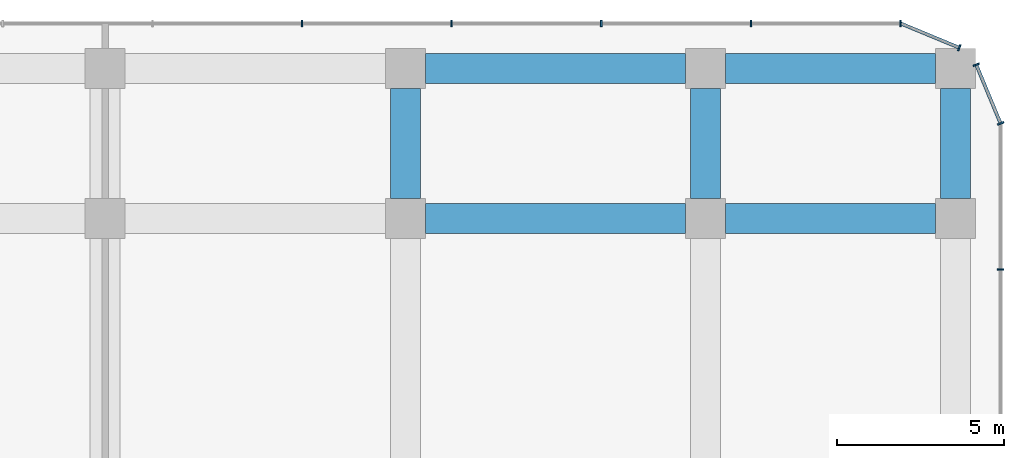
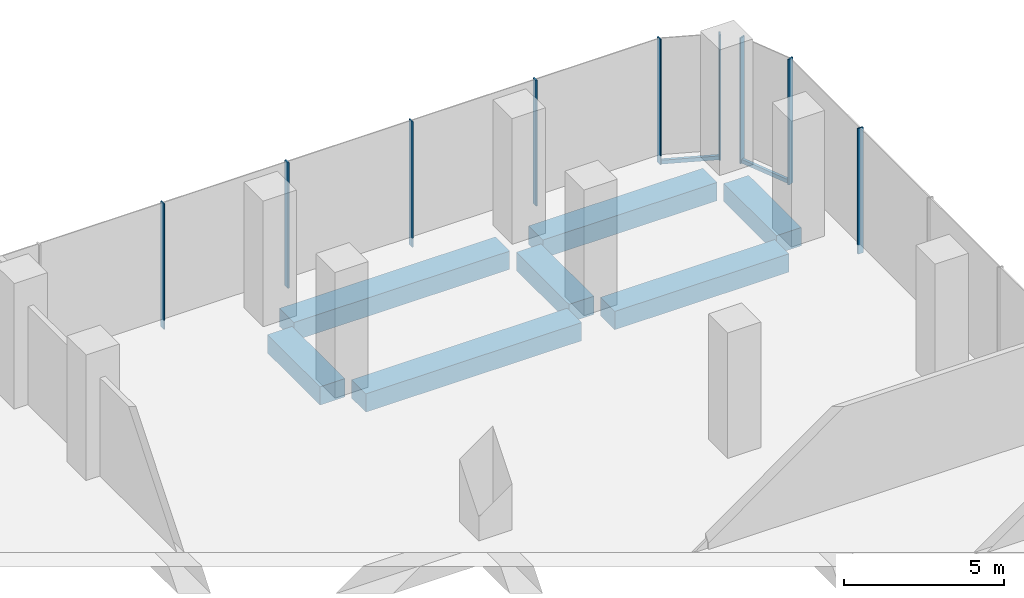
# One storey, part 25 of 42: 11 members, 7 beams, 4 elements without a shape of their own.
"""IFC4 building model written with IfcOpenShell, lengths in metres."""

from ifc_helpers import new_model, si_unit, direction, frame, origin, origin_2d, place, context, subcontext, project, spatial, rectangle, extrude, material, layer, layer_set, material_profile, profile_set, type_object, element, aggregate, save


model = new_model("IFC4")

# Units and contexts
model_context = context("Model", 3, precision=1e-05, world=origin(), true_north=direction((0.0, 1.0)))
body_context = subcontext(model_context, "Body", "Model", "MODEL_VIEW")
ifc_project = project(units=[si_unit("LENGTHUNIT", "METRE"), si_unit("AREAUNIT", "SQUARE_METRE"), si_unit("VOLUMEUNIT", "CUBIC_METRE"), si_unit("PLANEANGLEUNIT", "RADIAN"), si_unit("MASSUNIT", "GRAM", prefix="KILO")], contexts=[model_context])

# Site, building, storey
site_placement = place(None, origin())
site = spatial("IfcSite", under=ifc_project, at=site_placement, CompositionType="ELEMENT")
building_placement = place(site_placement, origin())
building = spatial("IfcBuilding", under=site, at=building_placement, Name="Plateau Cross Towers", CompositionType="ELEMENT")
storey_placement = place(building_placement, frame((0.0, 0.0, 8.0)))
storey = spatial("IfcBuildingStorey", under=building, at=storey_placement, Name="L01", CompositionType="ELEMENT", Elevation=8.0)

# Curtain wall, member
ifc_material_1 = material(Name="Dark low-iron laminated glass", Category="glass")
ifc_layer = layer(ifc_material_1, 0.300048828125)
ifc_layer_set = layer_set([ifc_layer], Name="Dark low-iron laminated glass")
curtain_wall_type = type_object("IfcCurtainWallType", Name="Curtain wall structural silicone CW-C", PredefinedType="NOTDEFINED", material=ifc_layer_set)
curtain_wall_1_placement = place(storey_placement, origin())
curtain_wall_1 = element("IfcCurtainWall", 1, at=curtain_wall_1_placement, inside=storey, type_object=curtain_wall_type, Name="ENV/P/L01/P1078_-88", PredefinedType="NOTDEFINED")
ifc_material_2 = material(Name="Black anodised aluminium", Category="aluminium")
ifc_material_profile_1 = material_profile(ifc_material_2, rectangle(XDim=0.050048828125, YDim=0.199951171875, at=origin_2d()), Name="MULLION 50x200")
ifc_profile_set_1 = profile_set([ifc_material_profile_1], Name="Black anodised aluminium")
member_type_1 = type_object("IfcMemberType", Name="Mullion 50x200 structural silicone", PredefinedType="MULLION", material=ifc_profile_set_1)
member_1_placement = place(storey_placement, frame((107.85009765625, 52.469970703125, -0.35009765625), z_axis=(0.0, 0.0, 1.0), x_axis=(0.0, 1.0, 0.0)))
member_1 = element("IfcMember", 2, at=member_1_placement, type_object=member_type_1, Name="CW-C mullion 15", PredefinedType="MULLION", context=body_context, shape_type="SweptSolid", body=[
    extrude(rectangle(XDim=0.050048828125, YDim=0.199951171875, at=origin_2d()), origin(), (0.0, 0.0, 1.0), 4.800048828125),
])
aggregate(curtain_wall_1, [member_1])

# Curtain wall, members
curtain_wall_2_placement = place(storey_placement, origin())
curtain_wall_2 = element("IfcCurtainWall", 3, at=curtain_wall_2_placement, inside=storey, type_object=curtain_wall_type, Name="ENV/P/L01/P1078_568", PredefinedType="NOTDEFINED")
member_2_placement = place(storey_placement, frame((107.85009765625, 56.85009765625, -0.35009765625), z_axis=(0.0, 0.0, 1.0), x_axis=(-0.382683612978, 0.923879457699, 0.0)))
member_2 = element("IfcMember", 4, at=member_2_placement, type_object=member_type_1, Name="CW-C mullion 1", PredefinedType="MULLION", context=body_context, shape_type="SweptSolid", body=[
    extrude(rectangle(XDim=0.050048828125, YDim=0.199951171875, at=origin_2d()), origin(), (0.0, 0.0, 1.0), 4.800048828125),
])
member_3_placement = place(storey_placement, frame((107.1201171875, 58.6123046875, -0.35009765625), z_axis=(0.0, 0.0, 1.0), x_axis=(-0.382683612978, 0.923879457699, 0.0)))
member_3 = element("IfcMember", 5, at=member_3_placement, type_object=member_type_1, Name="CW-C mullion 2", PredefinedType="MULLION", context=body_context, shape_type="SweptSolid", body=[
    extrude(rectangle(XDim=0.050048828125, YDim=0.199951171875, at=origin_2d()), origin(), (0.0, 0.0, 1.0), 4.800048828125),
])

# Curtain wall, member
curtain_wall_3_placement = place(storey_placement, origin())
curtain_wall_3 = element("IfcCurtainWall", 6, at=curtain_wall_3_placement, inside=storey, type_object=curtain_wall_type, Name="ENV/P/L01/P1066_591", PredefinedType="NOTDEFINED")
member_4_placement = place(storey_placement, frame((106.6123046875, 59.1201171875, -0.35009765625), z_axis=(0.0, 0.0, 1.0), x_axis=(-0.923879457699, 0.382683612978, 0.0)))
member_4 = element("IfcMember", 7, at=member_4_placement, type_object=member_type_1, Name="CW-C mullion 1", PredefinedType="MULLION", context=body_context, shape_type="SweptSolid", body=[
    extrude(rectangle(XDim=0.050048828125, YDim=0.199951171875, at=origin_2d()), origin(), (0.0, 0.0, 1.0), 4.800048828125),
])

# Curtain wall, members
curtain_wall_4_placement = place(storey_placement, origin())
curtain_wall_4 = element("IfcCurtainWall", 8, at=curtain_wall_4_placement, inside=storey, type_object=curtain_wall_type, Name="ENV/P/L01/P1048_598", PredefinedType="NOTDEFINED")
member_5_placement = place(storey_placement, frame((104.85009765625, 59.85009765625, -0.35009765625), z_axis=(0.0, 0.0, 1.0), x_axis=(-1.0, 0.0, 0.0)))
member_5 = element("IfcMember", 9, at=member_5_placement, type_object=member_type_1, Name="CW-C mullion 1", PredefinedType="MULLION", context=body_context, shape_type="SweptSolid", body=[
    extrude(rectangle(XDim=0.050048828125, YDim=0.199951171875, at=origin_2d()), origin(), (0.0, 0.0, 1.0), 4.800048828125),
])
member_6_placement = place(storey_placement, frame((100.362548828125, 59.85009765625, -0.35009765625), z_axis=(0.0, 0.0, 1.0), x_axis=(-1.0, 0.0, 0.0)))
member_6 = element("IfcMember", 10, at=member_6_placement, type_object=member_type_1, Name="CW-C mullion 2", PredefinedType="MULLION", context=body_context, shape_type="SweptSolid", body=[
    extrude(rectangle(XDim=0.050048828125, YDim=0.199951171875, at=origin_2d()), origin(), (0.0, 0.0, 1.0), 4.800048828125),
])
member_7_placement = place(storey_placement, frame((95.875, 59.85009765625, -0.35009765625), z_axis=(0.0, 0.0, 1.0), x_axis=(-1.0, 0.0, 0.0)))
member_7 = element("IfcMember", 11, at=member_7_placement, type_object=member_type_1, Name="CW-C mullion 3", PredefinedType="MULLION", context=body_context, shape_type="SweptSolid", body=[
    extrude(rectangle(XDim=0.050048828125, YDim=0.199951171875, at=origin_2d()), origin(), (0.0, 0.0, 1.0), 4.800048828125),
])
member_8_placement = place(storey_placement, frame((91.387451171875, 59.85009765625, -0.35009765625), z_axis=(0.0, 0.0, 1.0), x_axis=(-1.0, 0.0, 0.0)))
member_8 = element("IfcMember", 12, at=member_8_placement, type_object=member_type_1, Name="CW-C mullion 4", PredefinedType="MULLION", context=body_context, shape_type="SweptSolid", body=[
    extrude(rectangle(XDim=0.050048828125, YDim=0.199951171875, at=origin_2d()), origin(), (0.0, 0.0, 1.0), 4.800048828125),
])
member_9_placement = place(storey_placement, frame((86.89990234375, 59.85009765625, -0.35009765625), z_axis=(0.0, 0.0, 1.0), x_axis=(-1.0, 0.0, 0.0)))
member_9 = element("IfcMember", 13, at=member_9_placement, type_object=member_type_1, Name="CW-C mullion 5", PredefinedType="MULLION", context=body_context, shape_type="SweptSolid", body=[
    extrude(rectangle(XDim=0.050048828125, YDim=0.199951171875, at=origin_2d()), origin(), (0.0, 0.0, 1.0), 4.800048828125),
])
aggregate(curtain_wall_4, [member_5, member_6, member_7, member_8, member_9])

# Beams
ifc_material_3 = material(Name="Concrete C50/60", Category="concrete")
ifc_material_profile_2 = material_profile(ifc_material_3, rectangle(XDim=0.89990234375, YDim=0.699951171875, at=origin_2d()), Name="RC 900x700")
ifc_profile_set_2 = profile_set([ifc_material_profile_2], Name="Concrete C50/60")
beam_type = type_object("IfcBeamType", Name="Podium band beam RC 900x700", PredefinedType="BEAM", material=ifc_profile_set_2)
beam_1_placement = place(storey_placement, frame((90.60009765625, 54.0, -0.699951171875), z_axis=(1.0, 0.0, 0.0), x_axis=(0.0, 1.0, 0.0)))
element("IfcBeam", 14, at=beam_1_placement, inside=storey, type_object=beam_type, Name="PB78@L01", PredefinedType="BEAM", context=body_context, shape_type="SweptSolid", body=[
    extrude(rectangle(XDim=0.89990234375, YDim=0.699951171875, at=origin_2d()), origin(), (0.0, 0.0, 1.0), 7.7998046875),
])
beam_2_placement = place(storey_placement, frame((99.60009765625, 54.0, -0.699951171875), z_axis=(1.0, 0.0, 0.0), x_axis=(0.0, 1.0, 0.0)))
element("IfcBeam", 15, at=beam_2_placement, inside=storey, type_object=beam_type, Name="PB79@L01", PredefinedType="BEAM", context=body_context, shape_type="SweptSolid", body=[
    extrude(rectangle(XDim=0.89990234375, YDim=0.699951171875, at=origin_2d()), origin(), (0.0, 0.0, 1.0), 6.2998046875),
])
beam_3_placement = place(storey_placement, frame((90.60009765625, 58.5, -0.699951171875), z_axis=(1.0, 0.0, 0.0), x_axis=(0.0, 1.0, 0.0)))
element("IfcBeam", 16, at=beam_3_placement, inside=storey, type_object=beam_type, Name="PB91@L01", PredefinedType="BEAM", context=body_context, shape_type="SweptSolid", body=[
    extrude(rectangle(XDim=0.89990234375, YDim=0.699951171875, at=origin_2d()), origin(), (0.0, 0.0, 1.0), 7.7998046875),
])
beam_4_placement = place(storey_placement, frame((99.60009765625, 58.5, -0.699951171875), z_axis=(1.0, 0.0, 0.0), x_axis=(0.0, 1.0, 0.0)))
element("IfcBeam", 17, at=beam_4_placement, inside=storey, type_object=beam_type, Name="PB92@L01", PredefinedType="BEAM", context=body_context, shape_type="SweptSolid", body=[
    extrude(rectangle(XDim=0.89990234375, YDim=0.699951171875, at=origin_2d()), origin(), (0.0, 0.0, 1.0), 6.2998046875),
])
for number, where, z_axis, x_axis, name in (
    (18, (90.0, 54.60009765625, -0.699951171875), (0.0, 1.0, 0.0), (-1.0, 0.0, 0.0), "PB168@L01"),
    (19, (99.0, 54.60009765625, -0.699951171875), (0.0, 1.0, 0.0), (-1.0, 0.0, 0.0), "PB172@L01"),
    (20, (106.5, 54.60009765625, -0.699951171875), (0.0, 1.0, 0.0), (-1.0, 0.0, 0.0), "PB181@L01"),
):
    element("IfcBeam", number, at=place(storey_placement, frame(where, z_axis=z_axis, x_axis=x_axis)), inside=storey, type_object=beam_type, Name=name, PredefinedType="BEAM", context=body_context, shape_type="SweptSolid", body=[
        extrude(rectangle(XDim=0.89990234375, YDim=0.699951171875, at=origin_2d()), origin(), (0.0, 0.0, 1.0), 3.2998046875),
    ])

# Member
ifc_material_profile_3 = material_profile(ifc_material_2, rectangle(XDim=0.10009765625, YDim=0.14990234375, at=origin_2d()), Name="TRANSOM 100x150")
ifc_profile_set_3 = profile_set([ifc_material_profile_3], Name="Black anodised aluminium")
member_type_2 = type_object("IfcMemberType", Name="Transom 100x150 structural silicone", PredefinedType="USERDEFINED", material=ifc_profile_set_3)
member_10_placement = place(storey_placement, frame((107.85009765625, 56.85009765625, -0.27490234375), z_axis=(-0.38270599329, 0.923870187147, 0.0), x_axis=(-0.923870187147, -0.38270599329, 0.0)))
member_10 = element("IfcMember", 21, at=member_10_placement, type_object=member_type_2, Name="CW-C transom", ObjectType="TRANSOM", PredefinedType="USERDEFINED", context=body_context, shape_type="SweptSolid", body=[
    extrude(rectangle(XDim=0.10009765625, YDim=0.14990234375, at=origin_2d()), origin(), (0.0, 0.0, 1.0), 1.907470703125),
])

aggregate(curtain_wall_2, [member_2, member_3, member_10])

member_11_placement = place(storey_placement, frame((106.6123046875, 59.1201171875, -0.27490234375), z_axis=(-0.923870187147, 0.38270599329, 0.0), x_axis=(-0.38270599329, -0.923870187147, 0.0)))
member_11 = element("IfcMember", 22, at=member_11_placement, type_object=member_type_2, Name="CW-C transom", ObjectType="TRANSOM", PredefinedType="USERDEFINED", context=body_context, shape_type="SweptSolid", body=[
    extrude(rectangle(XDim=0.10009765625, YDim=0.14990234375, at=origin_2d()), origin(), (0.0, 0.0, 1.0), 1.907470703125),
])

aggregate(curtain_wall_3, [member_4, member_11])

save(model, "model.ifc")
